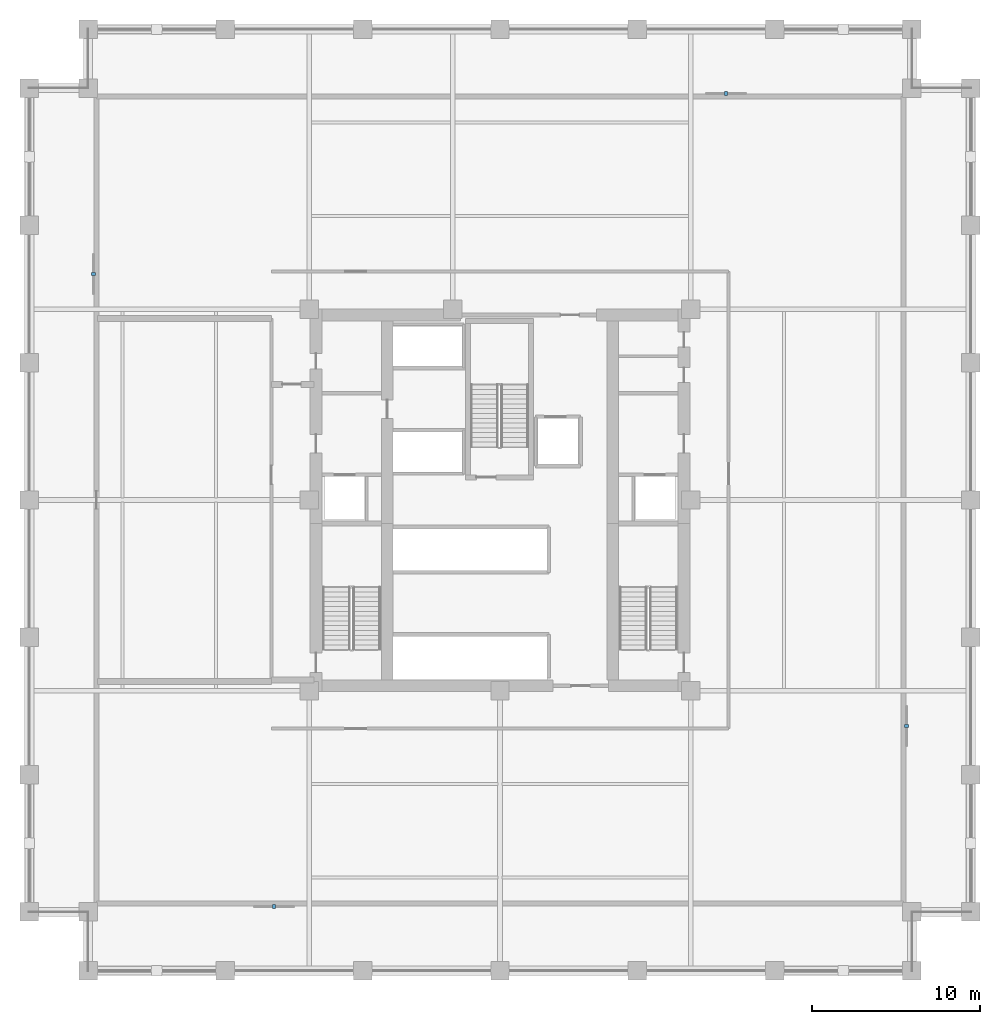
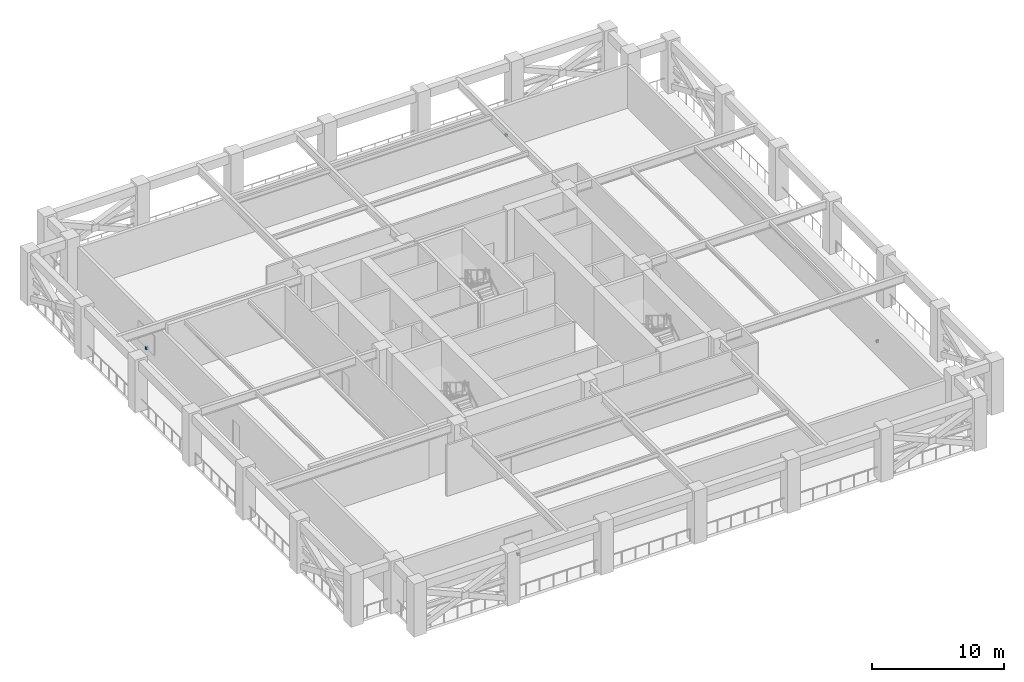
# One storey, part 5 of 11: 4 discrete accessories.
"""IFC4 building model written with IfcOpenShell, lengths in metres."""

import ifcopenshell
import ifcopenshell.guid

model = None  # the IFC model being written
_history = None  # IfcOwnerHistory: only IFC2X3 demands one
_inside = {}  # id of a spatial element -> (the spatial element, [elements in it])
_under = {}  # id of a project, library or spatial element -> (it, [spatial elements below it])
_declared = {}  # id of a project -> (the project, [libraries it declares])
_typed = {}  # id of a type object -> (the type object, [elements of that type])
_made_of = {}  # id of a material, layer set ... -> (it, [elements and type objects made of it])


def new_model(schema):
    """Start an empty IFC model of exactly this schema.

    Asked for "IFC4X3", IfcOpenShell would pick the latest addendum, in which some entities
    have other attributes; the version numbers below select the first issue.
    IFC2X3 requires an IfcOwnerHistory on every rooted entity: one is made here for all.
    """
    global model, _history
    if schema == "IFC4X3":
        model = ifcopenshell.file(schema_version=(4, 3, 0, 0))
    else:
        model = ifcopenshell.file(schema=schema)
    _inside.clear()
    _under.clear()
    _declared.clear()
    _typed.clear()
    _made_of.clear()
    _history = None
    if model.schema == "IFC2X3":
        org = make("IfcOrganization", Name="unknown")
        user = make(
            "IfcPersonAndOrganization",
            ThePerson=make("IfcPerson", FamilyName="unknown"),
            TheOrganization=org,
        )
        app = make(
            "IfcApplication",
            ApplicationDeveloper=org,
            Version="unknown",
            ApplicationFullName="unknown",
            ApplicationIdentifier="unknown",
        )
        _history = make(
            "IfcOwnerHistory",
            OwningUser=user,
            OwningApplication=app,
            ChangeAction="ADDED",
            CreationDate=0,
        )
    return model


def make(cls, **values):
    """One entity of the class cls with the attributes given. An attribute that is None is left unset."""
    return model.create_entity(
        cls, **{name: value for name, value in values.items() if value is not None}
    )


def rooted(cls, **values):
    """An entity with a GlobalId (a new one), such as an element, a storey or a relation."""
    return make(cls, GlobalId=ifcopenshell.guid.new(), OwnerHistory=_history, **values)


def si_unit(unit_type, name, prefix=None):
    """IfcSIUnit, for example si_unit("LENGTHUNIT", "METRE", prefix="MILLI")."""
    return make("IfcSIUnit", UnitType=unit_type, Prefix=prefix, Name=name)


def assignment(units):
    """IfcUnitAssignment: the units of a project."""
    return None if units is None else make("IfcUnitAssignment", Units=units)


def point(xyz):
    """IfcCartesianPoint."""
    return None if xyz is None else make("IfcCartesianPoint", Coordinates=xyz)


def direction(xyz):
    """IfcDirection."""
    return None if xyz is None else make("IfcDirection", DirectionRatios=xyz)


def frame(location, z_axis=None, x_axis=None):
    """IfcAxis2Placement3D, a coordinate frame: its origin and axes. An axis left out is left unset."""
    return make(
        "IfcAxis2Placement3D",
        Location=point(location),
        Axis=direction(z_axis),
        RefDirection=direction(x_axis),
    )


def frame_2d(location, x_axis=None):
    """IfcAxis2Placement2D, a coordinate frame in the plane: its origin and x axis."""
    return make(
        "IfcAxis2Placement2D", Location=point(location), RefDirection=direction(x_axis)
    )


def origin():
    """The frame at (0, 0, 0) with its axes left unset."""
    return frame((0.0, 0.0, 0.0))


def origin_2d():
    """The frame at (0, 0) in the plane with its x axis left unset."""
    return frame_2d((0.0, 0.0))


def place(relative_to, where):
    """IfcLocalPlacement: puts the frame where relative to a parent placement (None: the world)."""
    return make(
        "IfcLocalPlacement", PlacementRelTo=relative_to, RelativePlacement=where
    )


def context(
    kind, dimensions, precision=None, world=None, true_north=None, identifier=None
):
    """IfcGeometricRepresentationContext, for example the 3D "Model" context."""
    return make(
        "IfcGeometricRepresentationContext",
        ContextIdentifier=identifier,
        ContextType=kind,
        CoordinateSpaceDimension=dimensions,
        Precision=precision,
        WorldCoordinateSystem=world,
        TrueNorth=true_north,
    )


def subcontext(parent, identifier, kind, view, scale=None):
    """IfcGeometricRepresentationSubContext, for example "Body" below "Model"."""
    return make(
        "IfcGeometricRepresentationSubContext",
        ContextIdentifier=identifier,
        ContextType=kind,
        ParentContext=parent,
        TargetScale=scale,
        TargetView=view,
    )


def project(units=None, contexts=None):
    """IfcProject with its units and contexts."""
    return rooted(
        "IfcProject",
        Name="project",
        RepresentationContexts=contexts,
        UnitsInContext=assignment(units),
    )


def spatial(cls, under=None, at=None, **own):
    """A site, building, storey or space (cls), placed at a placement, below another one or the project."""
    s = rooted(cls, ObjectPlacement=at, **own)
    if under is not None:
        _under.setdefault(under.id(), (under, []))[1].append(s)
    return s


def profile(cls, at=None, kind="AREA", **sizes):
    """A parametric profile (cls). Its sizes go by their IFC names, for example OverallWidth=200.0."""
    return make(cls, ProfileType=kind, Position=at, **sizes)


def rectangle(**sizes):
    """IfcRectangleProfileDef."""
    return profile("IfcRectangleProfileDef", **sizes)


def extrude(swept, where, along, depth):
    """IfcExtrudedAreaSolid: the profile swept, set in the frame where, extruded along a direction by depth."""
    return make(
        "IfcExtrudedAreaSolid",
        SweptArea=swept,
        Position=where,
        ExtrudedDirection=direction(along),
        Depth=depth,
    )


def shape(context_of_items, identifier, shape_type, items):
    """IfcShapeRepresentation: the items that make up one representation, for example the "Body"."""
    return make(
        "IfcShapeRepresentation",
        ContextOfItems=context_of_items,
        RepresentationIdentifier=identifier,
        RepresentationType=shape_type,
        Items=items,
    )


def material(Name=None, Category=None):
    """IfcMaterial."""
    return make("IfcMaterial", Name=Name, Category=Category)


def made_of(thing, what):
    """Note that an element or type object is made of a material, layer set ...; save() writes the relation."""
    if what is not None:
        _made_of.setdefault(what.id(), (what, []))[1].append(thing)
    return thing


def type_object(cls, material=None, **own):
    """A type object (cls), such as IfcWallType, which elements share."""
    return made_of(rooted(cls, **own), material)


def element(
    cls,
    number,
    at=None,
    inside=None,
    cuts=None,
    type_object=None,
    material=None,
    context=None,
    identifier="Body",
    shape_type=None,
    held_by="IfcProductDefinitionShape",
    body=None,
    shapes=None,
    **own,
):
    """One element of the class cls, such as IfcWall. Its Tag is "e" and its number.

    at: its placement. inside: the storey or other place that contains it. cuts: it is an
    opening in that element (IfcRelVoidsElement). A single representation is given by context,
    identifier, shape_type and body (its items); several are given by shapes. held_by: the class
    of the entity that holds the representations. save() writes the other relations.
    """
    e = rooted(cls, Tag="e%d" % number, ObjectPlacement=at, **own)
    if body is not None:
        shapes = [shape(context, identifier, shape_type, body)]
    if shapes is not None:
        e.Representation = make(held_by, Representations=shapes)
    if inside is not None:
        _inside.setdefault(inside.id(), (inside, []))[1].append(e)
    if cuts is not None:
        rooted(
            "IfcRelVoidsElement", RelatingBuildingElement=cuts, RelatedOpeningElement=e
        )
    if type_object is not None:
        _typed.setdefault(type_object.id(), (type_object, []))[1].append(e)
    return made_of(e, material)


def aggregate(whole, parts):
    """IfcRelAggregates: a whole, such as a stair, and the parts it consists of."""
    return rooted("IfcRelAggregates", RelatingObject=whole, RelatedObjects=parts)


def save(model, path):
    """Write the relations noted so far, then the file.

    IfcRelAggregates (storeys below a building ...), IfcRelContainedInSpatialStructure (elements
    in a storey), IfcRelDefinesByType, IfcRelAssociatesMaterial and IfcRelDeclares: one each for
    every whole, place, type object, material and project.
    """
    for whole, parts in _under.values():
        aggregate(whole, parts)
    for where, things in _inside.values():
        rooted(
            "IfcRelContainedInSpatialStructure",
            RelatedElements=things,
            RelatingStructure=where,
        )
    for kind, things in _typed.values():
        rooted("IfcRelDefinesByType", RelatedObjects=things, RelatingType=kind)
    for what, things in _made_of.values():
        rooted("IfcRelAssociatesMaterial", RelatedObjects=things, RelatingMaterial=what)
    for by, libraries in _declared.values():
        rooted("IfcRelDeclares", RelatingContext=by, RelatedDefinitions=libraries)
    model.write(path)


model = new_model("IFC4")

# Units and contexts
model_context = context("Model", 3, precision=1e-05, world=origin(), true_north=direction((0.0, 1.0)))
body_context = subcontext(model_context, "Body", "Model", "MODEL_VIEW")
ifc_project = project(units=[si_unit("LENGTHUNIT", "METRE"), si_unit("AREAUNIT", "SQUARE_METRE"), si_unit("VOLUMEUNIT", "CUBIC_METRE"), si_unit("PLANEANGLEUNIT", "RADIAN"), si_unit("MASSUNIT", "GRAM", prefix="KILO")], contexts=[model_context])

# Site, building, storey
site_placement = place(None, origin())
site = spatial("IfcSite", under=ifc_project, at=site_placement, CompositionType="ELEMENT")
building_placement = place(site_placement, origin())
building = spatial("IfcBuilding", under=site, at=building_placement, Name="Nhamokura Convention Tower", CompositionType="ELEMENT")
storey_placement = place(building_placement, frame((0.0, 0.0, 77.35009765625)))
storey = spatial("IfcBuildingStorey", under=building, at=storey_placement, Name="L18", CompositionType="ELEMENT", Elevation=77.35009765625)

# Discrete accessories
ifc_material = material(Name="Steel ASTM A572 Gr 50", Category="steel")
discrete_accessory_type = type_object("IfcDiscreteAccessoryType", Name="FacadeOutstandBracket", PredefinedType="BRACKET", material=ifc_material)
for number, where, z_axis, x_axis, name in (
    (1, (18.56005859375, 7.8173828125, 0.8798828125), (0.0, 0.0, 1.0), (-1.0, 0.0, 0.0), "L18 Louvre Support Bracket S"),
    (2, (56.1826171875, 18.56005859375, 0.8798828125), (0.0, 0.0, 1.0), (0.0, -1.0, 0.0), "L18 Louvre Support Bracket E"),
    (3, (45.43994140625, 56.1826171875, 0.8798828125), (0.0, 0.0, 1.0), (1.0, 0.0, 0.0), "L18 Louvre Support Bracket N"),
    (4, (7.8173828125, 45.43994140625, 0.8798828125), (0.0, 0.0, 1.0), (0.0, 1.0, 0.0), "L18 Louvre Support Bracket W"),
):
    element("IfcDiscreteAccessory", number, at=place(storey_placement, frame(where, z_axis=z_axis, x_axis=x_axis)), inside=storey, type_object=discrete_accessory_type, Name=name, PredefinedType="BRACKET", context=body_context, shape_type="SweptSolid", body=[
        extrude(rectangle(XDim=0.179931640625, YDim=0.219970703125, at=origin_2d()), origin(), (0.0, 0.0, 1.0), 0.239990234375),
    ])

save(model, "model.ifc")
